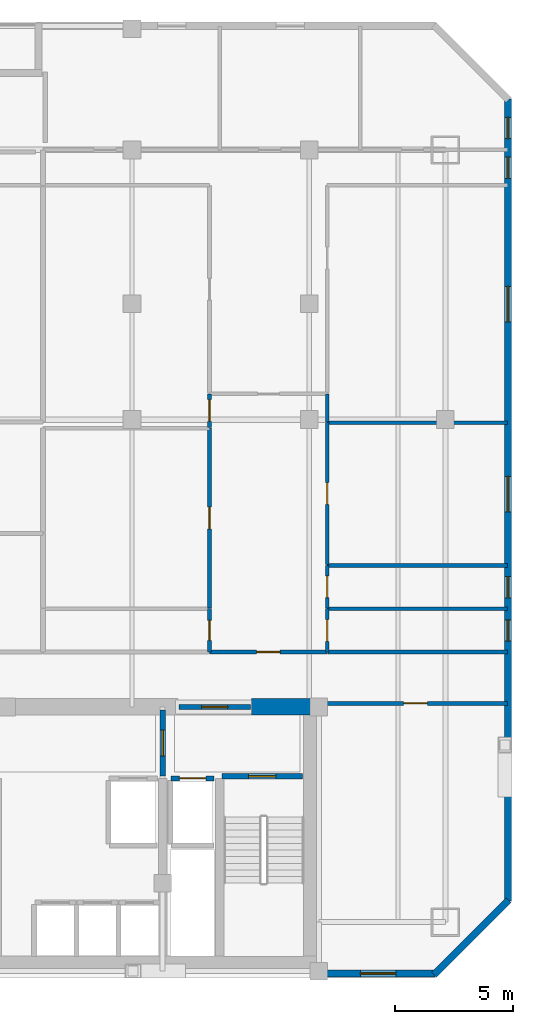
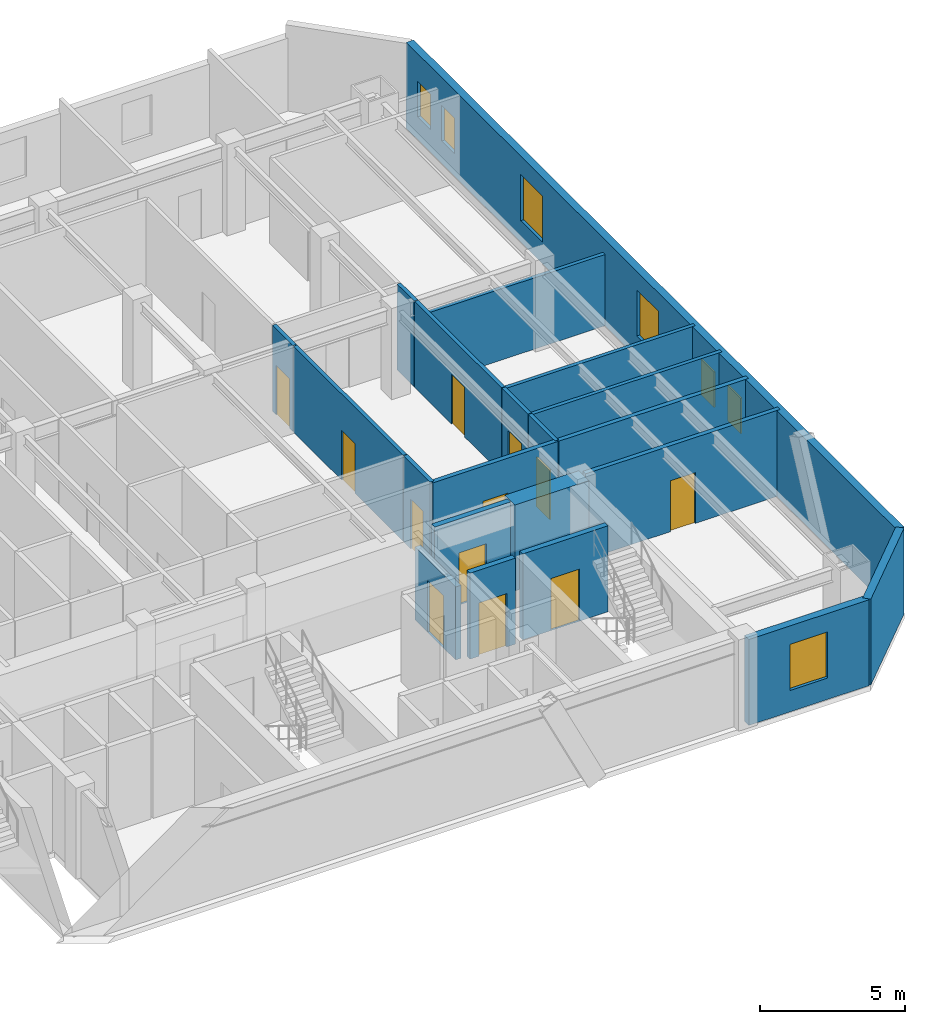
# One storey, part 5 of 8: 21 walls, 12 doors, 7 windows, 19 openings.
"""IFC4 building model written with IfcOpenShell, lengths in metres."""

from ifc_helpers import new_model, si_unit, direction, frame, frame_2d, origin, place, context, subcontext, project, spatial, rectangle, extrude, material, layer, layer_set, type_object, element, fill, save


model = new_model("IFC4")

# Units and contexts
model_context = context("Model", 3, precision=1e-05, world=origin(), true_north=direction((0.0, 1.0)))
body_context = subcontext(model_context, "Body", "Model", "MODEL_VIEW")
ifc_project = project(units=[si_unit("LENGTHUNIT", "METRE"), si_unit("AREAUNIT", "SQUARE_METRE"), si_unit("VOLUMEUNIT", "CUBIC_METRE"), si_unit("PLANEANGLEUNIT", "RADIAN"), si_unit("MASSUNIT", "GRAM", prefix="KILO")], contexts=[model_context])

# Site, building, storey
site_placement = place(None, origin())
site = spatial("IfcSite", under=ifc_project, at=site_placement, CompositionType="ELEMENT")
building_placement = place(site_placement, origin())
building = spatial("IfcBuilding", under=site, at=building_placement, Name="Ventersveld Concourse Tower", CompositionType="ELEMENT")
storey_placement = place(building_placement, frame((0.0, 0.0, 168.300048828125)))
storey = spatial("IfcBuildingStorey", under=building, at=storey_placement, Name="L41", CompositionType="ELEMENT", Elevation=168.300048828125)

# Wall
ifc_material_1 = material(Name="Concrete C60/75", Category="concrete")
ifc_layer_1 = layer(ifc_material_1, 0.699951171875)
ifc_layer_set_1 = layer_set([ifc_layer_1], Name="Concrete C60/75")
wall_type_1 = type_object("IfcWallType", Name="WL-CORE-700", PredefinedType="SHEAR", material=ifc_layer_set_1)
wall_1_placement = place(storey_placement, frame((41.300048828125, 11.449951171875, 0.0), z_axis=(0.0, 0.0, 1.0), x_axis=(1.0, 0.0, 0.0)))
element("IfcWall", 1, at=wall_1_placement, inside=storey, type_object=wall_type_1, Name="L41 Rear Core North Shear Wall NE", PredefinedType="SHEAR", context=body_context, shape_type="SweptSolid", body=[
    extrude(rectangle(XDim=2.949951171875, YDim=0.699951171875, at=frame_2d((1.47509765625, 0.0))), origin(), (0.0, 0.0, 1.0), 3.6298828125),
])

# Wall, opening, door
ifc_material_2 = material(Name="Fire-rated autoclaved aerated masonry blockwork", Category="masonry")
ifc_layer_2 = layer(ifc_material_2, 0.179931640625)
ifc_layer_set_2 = layer_set([ifc_layer_2], Name="Fire-rated autoclaved aerated masonry blockwork")
wall_type_2 = type_object("IfcWallType", Name="WL-CORR-180", PredefinedType="PARTITIONING", material=ifc_layer_set_2)
wall_2_placement = place(storey_placement, frame((44.35498046875, 11.60009765625, 0.0), z_axis=(0.0, 0.0, 1.0), x_axis=(1.0, 0.0, 0.0)))
wall_2 = element("IfcWall", 2, at=wall_2_placement, inside=storey, type_object=wall_type_2, Name="L41 Interior Partition SP-L41-SE-OFF-SP-L41-COR", PredefinedType="PARTITIONING", context=body_context, shape_type="SweptSolid", body=[
    extrude(rectangle(XDim=7.7724609375, YDim=0.179931640625, at=frame_2d((3.88623046875, 0.0))), origin(), (0.0, 0.0, 1.0), 3.6298828125),
])
opening_1_placement = place(wall_2_placement, frame((3.38623046875, 0.0, 0.0)))
opening_1 = element("IfcOpeningElement", 3, at=opening_1_placement, cuts=wall_2, Name="Opening FD3", PredefinedType="OPENING", context=body_context, shape_type="SweptSolid", body=[
    extrude(rectangle(XDim=1.0, YDim=2.14990234375, at=frame_2d((0.5, 1.074951171875))), frame((0.0, 0.10009765625, 0.0), z_axis=(0.0, -1.0, 0.0), x_axis=(1.0, 0.0, 0.0)), (0.0, 0.0, 1.0), 0.199951171875),
])
ifc_material_3 = material(Name="Solid-core hardwood veneer timber", Category="wood")
door_type_1 = type_object("IfcDoorType", Name="DR-FLAT-100", OperationType="NOTDEFINED", PredefinedType="DOOR", material=ifc_material_3)
door_1_placement = place(opening_1_placement, origin())
door_1 = element("IfcDoor", 4, at=door_1_placement, inside=storey, type_object=door_type_1, Name="L41 Interior Door SP-L41-SE-OFF to SP-L41-COR (D-L41-2001)", OperationType="SINGLE_SWING_LEFT", OverallHeight=2.14990234375, OverallWidth=1.0, PredefinedType="DOOR", context=body_context, shape_type="SweptSolid", body=[
    extrude(rectangle(XDim=1.0, YDim=2.14990234375, at=frame_2d((0.5, 1.074951171875))), frame((0.0, 0.02490234375, 0.0), z_axis=(0.0, -1.0, 0.0), x_axis=(1.0, 0.0, 0.0)), (0.0, 0.0, 1.0), 0.050048828125),
])
fill(opening_1, door_1)

wall_3_placement = place(storey_placement, frame((39.524169921875, 13.77001953125, 0.0), z_axis=(0.0, 0.0, 1.0), x_axis=(1.0, 0.0, 0.0)))
wall_3 = element("IfcWall", 5, at=wall_3_placement, inside=storey, type_object=wall_type_2, Name="L41 Interior Partition SP-L41-COR-SP-L41-41CE-FOY", PredefinedType="PARTITIONING", context=body_context, shape_type="SweptSolid", body=[
    extrude(rectangle(XDim=4.989990234375, YDim=0.179931640625, at=frame_2d((2.4951171875, 0.0))), origin(), (0.0, 0.0, 1.0), 3.6298828125),
])
opening_2_placement = place(wall_3_placement, frame((1.9951171875, 0.0, 0.0)))
opening_2 = element("IfcOpeningElement", 6, at=opening_2_placement, cuts=wall_3, Name="Opening FD3", PredefinedType="OPENING", context=body_context, shape_type="SweptSolid", body=[
    extrude(rectangle(XDim=1.0, YDim=2.14990234375, at=frame_2d((0.5, 1.074951171875))), frame((0.0, 0.10009765625, 0.0), z_axis=(0.0, -1.0, 0.0), x_axis=(1.0, 0.0, 0.0)), (0.0, 0.0, 1.0), 0.199951171875),
])
door_2_placement = place(opening_2_placement, origin())
door_2 = element("IfcDoor", 7, at=door_2_placement, inside=storey, type_object=door_type_1, Name="L41 Interior Door SP-L41-COR to SP-L41-41CE-FOY (FD-L41-2004)", OperationType="SINGLE_SWING_RIGHT", OverallHeight=2.14990234375, OverallWidth=1.0, PredefinedType="DOOR", context=body_context, shape_type="SweptSolid", body=[
    extrude(rectangle(XDim=1.0, YDim=2.14990234375, at=frame_2d((0.5, 1.074951171875))), frame((0.0, 0.02490234375, 0.0), z_axis=(0.0, -1.0, 0.0), x_axis=(1.0, 0.0, 0.0)), (0.0, 0.0, 1.0), 0.050048828125),
])
fill(opening_2, door_2)

# Wall
wall_4_placement = place(storey_placement, frame((44.544189453125, 13.77001953125, 0.0), z_axis=(0.0, 0.0, 1.0), x_axis=(1.0, 0.0, 0.0)))
element("IfcWall", 8, at=wall_4_placement, inside=storey, type_object=wall_type_2, Name="L41 Interior Partition SP-L41-COR-SP-L41-41CE-KIT", PredefinedType="PARTITIONING", context=body_context, shape_type="SweptSolid", body=[
    extrude(rectangle(XDim=7.583251953125, YDim=0.179931640625, at=frame_2d((3.79150390625, 0.0))), origin(), (0.0, 0.0, 1.0), 3.6298828125),
])

# Wall, opening, door
ifc_layer_3 = layer(ifc_material_2, 0.219970703125)
ifc_layer_set_3 = layer_set([ifc_layer_3], Name="Fire-rated autoclaved aerated masonry blockwork")
wall_type_3 = type_object("IfcWallType", Name="WL-HOIST-220", PredefinedType="SOLIDWALL", material=ifc_layer_set_3)
wall_5_placement = place(storey_placement, frame((37.89990234375, 8.429931640625, 0.0), z_axis=(0.0, 0.0, 1.0), x_axis=(1.0, 0.0, 0.0)))
wall_5 = element("IfcWall", 9, at=wall_5_placement, inside=storey, type_object=wall_type_3, Name="L41 Lift Hoistway Front Wall FFL-02", PredefinedType="SOLIDWALL", context=body_context, shape_type="SweptSolid", body=[
    extrude(rectangle(XDim=1.820068359375, YDim=0.219970703125, at=frame_2d((0.91015625, 0.0))), origin(), (0.0, 0.0, 1.0), 3.6298828125),
])
opening_3_placement = place(wall_5_placement, frame((0.35009765625, 0.0, 0.0)))
opening_3 = element("IfcOpeningElement", 10, at=opening_3_placement, cuts=wall_5, Name="Opening LD1", PredefinedType="OPENING", context=body_context, shape_type="SweptSolid", body=[
    extrude(rectangle(XDim=1.1201171875, YDim=2.25, at=frame_2d((0.56005859375, 1.125))), frame((0.0, 0.1201171875, 0.0), z_axis=(0.0, -1.0, 0.0), x_axis=(1.0, 0.0, 0.0)), (0.0, 0.0, 1.0), 0.239990234375),
])
ifc_material_4 = material(Name="Brushed stainless steel 316", Category="steel")
door_type_2 = type_object("IfcDoorType", Name="LD-FF-112", OperationType="SLIDING_TO_LEFT", PredefinedType="DOOR", material=ifc_material_4)
door_3_placement = place(opening_3_placement, origin())
door_3 = element("IfcDoor", 11, at=door_3_placement, inside=storey, type_object=door_type_2, Name="L41 Lift landing door FFL-02 (LD-L41-FFL-02)", OperationType="SLIDING_TO_RIGHT", OverallHeight=2.25, OverallWidth=1.1201171875, PredefinedType="DOOR", context=body_context, shape_type="SweptSolid", body=[
    extrude(rectangle(XDim=1.1201171875, YDim=2.25, at=frame_2d((0.56005859375, 1.125))), frame((0.0, 0.02490234375, 0.0), z_axis=(0.0, -1.0, 0.0), x_axis=(1.0, 0.0, 0.0)), (0.0, 0.0, 1.0), 0.050048828125),
])
fill(opening_3, door_3)

wall_6_placement = place(storey_placement, frame((40.06005859375, 8.52001953125, 0.0), z_axis=(0.0, 0.0, 1.0), x_axis=(1.0, 0.0, 0.0)))
wall_6 = element("IfcWall", 12, at=wall_6_placement, inside=storey, type_object=wall_type_3, Name="L41 Escape Stair ST02 Fire Wall", PredefinedType="SOLIDWALL", context=body_context, shape_type="SweptSolid", body=[
    extrude(rectangle(XDim=3.39990234375, YDim=0.219970703125, at=frame_2d((1.699951171875, 0.0))), origin(), (0.0, 0.0, 1.0), 3.6298828125),
])
opening_4_placement = place(wall_6_placement, frame((1.125, 0.0, 0.0)))
opening_4 = element("IfcOpeningElement", 13, at=opening_4_placement, cuts=wall_6, Name="Opening FD1", PredefinedType="OPENING", context=body_context, shape_type="SweptSolid", body=[
    extrude(rectangle(XDim=1.14990234375, YDim=2.199951171875, at=frame_2d((0.574951171875, 1.10009765625))), frame((0.0, 0.1201171875, 0.0), z_axis=(0.0, -1.0, 0.0), x_axis=(1.0, 0.0, 0.0)), (0.0, 0.0, 1.0), 0.239990234375),
])
ifc_material_5 = material(Name="Galvanised painted steel", Category="steel")
door_type_3 = type_object("IfcDoorType", Name="DR-STAIR-115", OperationType="NOTDEFINED", PredefinedType="DOOR", material=ifc_material_5)
door_4_placement = place(opening_4_placement, origin())
door_4 = element("IfcDoor", 14, at=door_4_placement, inside=storey, type_object=door_type_3, Name="L41 Escape Stair Door ST02 (SD-L41-1992)", OperationType="SINGLE_SWING_RIGHT", OverallHeight=2.199951171875, OverallWidth=1.14990234375, PredefinedType="DOOR", context=body_context, shape_type="SweptSolid", body=[
    extrude(rectangle(XDim=1.14990234375, YDim=2.199951171875, at=frame_2d((0.574951171875, 1.10009765625))), frame((0.0, 0.02490234375, 0.0), z_axis=(0.0, -1.0, 0.0), x_axis=(1.0, 0.0, 0.0)), (0.0, 0.0, 1.0), 0.050048828125),
])
fill(opening_4, door_4)

wall_7_placement = place(storey_placement, frame((37.550048828125, 8.52001953125, 0.0), z_axis=(0.0, 0.0, 1.0), x_axis=(0.0, 1.0, 0.0)))
wall_7 = element("IfcWall", 15, at=wall_7_placement, inside=storey, type_object=wall_type_3, Name="L41 Firefighting Lobby Smoke-Stop Wall FFLE-SEP", PredefinedType="SOLIDWALL", context=body_context, shape_type="SweptSolid", body=[
    extrude(rectangle(XDim=2.800048828125, YDim=0.219970703125, at=frame_2d((1.39990234375, 0.0))), origin(), (0.0, 0.0, 1.0), 3.08544921875),
])
opening_5_placement = place(wall_7_placement, frame((0.85009765625, 0.0, 0.0)))
opening_5 = element("IfcOpeningElement", 16, at=opening_5_placement, cuts=wall_7, Name="Opening FD2", PredefinedType="OPENING", context=body_context, shape_type="SweptSolid", body=[
    extrude(rectangle(XDim=1.10009765625, YDim=2.199951171875, at=frame_2d((0.550048828125, 1.10009765625))), frame((0.0, 0.1201171875, 0.0), z_axis=(0.0, -1.0, 0.0), x_axis=(1.0, 0.0, 0.0)), (0.0, 0.0, 1.0), 0.239990234375),
])
door_type_4 = type_object("IfcDoorType", Name="DR-FFL-110", OperationType="NOTDEFINED", PredefinedType="DOOR", material=ifc_material_5)
door_5_placement = place(opening_5_placement, origin())
door_5 = element("IfcDoor", 17, at=door_5_placement, inside=storey, type_object=door_type_4, Name="L41 Firefighting Lobby Door FFLE-SEP (FD-L41-1995)", OperationType="SINGLE_SWING_RIGHT", OverallHeight=2.199951171875, OverallWidth=1.10009765625, PredefinedType="DOOR", context=body_context, shape_type="SweptSolid", body=[
    extrude(rectangle(XDim=1.10009765625, YDim=2.199951171875, at=frame_2d((0.550048828125, 1.10009765625))), frame((0.0, 0.02490234375, 0.0), z_axis=(0.0, -1.0, 0.0), x_axis=(1.0, 0.0, 0.0)), (0.0, 0.0, 1.0), 0.050048828125),
])
fill(opening_5, door_5)

wall_8_placement = place(storey_placement, frame((38.22998046875, 11.449951171875, 0.0), z_axis=(0.0, 0.0, 1.0), x_axis=(1.0, 0.0, 0.0)))
wall_8 = element("IfcWall", 18, at=wall_8_placement, inside=storey, type_object=wall_type_3, Name="L41 Core North Fire Portal FFLE-OUT", PredefinedType="SOLIDWALL", context=body_context, shape_type="SweptSolid", body=[
    extrude(rectangle(XDim=3.0400390625, YDim=0.219970703125, at=frame_2d((1.52001953125, 0.0))), origin(), (0.0, 0.0, 1.0), 3.6298828125),
])
opening_6_placement = place(wall_8_placement, frame((0.969970703125, 0.0, 0.0)))
opening_6 = element("IfcOpeningElement", 19, at=opening_6_placement, cuts=wall_8, Name="Opening FD2", PredefinedType="OPENING", context=body_context, shape_type="SweptSolid", body=[
    extrude(rectangle(XDim=1.10009765625, YDim=2.199951171875, at=frame_2d((0.550048828125, 1.10009765625))), frame((0.0, 0.1201171875, 0.0), z_axis=(0.0, -1.0, 0.0), x_axis=(1.0, 0.0, 0.0)), (0.0, 0.0, 1.0), 0.239990234375),
])
door_6_placement = place(opening_6_placement, origin())
door_6 = element("IfcDoor", 20, at=door_6_placement, inside=storey, type_object=door_type_4, Name="L41 Core Lobby Fire Door FFLE-OUT (FD-L41-1998)", OperationType="SINGLE_SWING_LEFT", OverallHeight=2.199951171875, OverallWidth=1.10009765625, PredefinedType="DOOR", context=body_context, shape_type="SweptSolid", body=[
    extrude(rectangle(XDim=1.10009765625, YDim=2.199951171875, at=frame_2d((0.550048828125, 1.10009765625))), frame((0.0, 0.02490234375, 0.0), z_axis=(0.0, -1.0, 0.0), x_axis=(1.0, 0.0, 0.0)), (0.0, 0.0, 1.0), 0.050048828125),
])
fill(opening_6, door_6)

ifc_material_6 = material(Name="Autoclaved aerated masonry blockwork", Category="masonry")
ifc_layer_4 = layer(ifc_material_6, 0.14990234375)
ifc_layer_set_4 = layer_set([ifc_layer_4], Name="Autoclaved aerated masonry blockwork")
wall_type_4 = type_object("IfcWallType", Name="WL-INT-150", PredefinedType="PARTITIONING", material=ifc_layer_set_4)
wall_9_placement = place(storey_placement, frame((39.529052734375, 15.635009765625, 0.0), z_axis=(0.0, 0.0, 1.0), x_axis=(0.0, 1.0, 0.0)))
wall_9 = element("IfcWall", 21, at=wall_9_placement, inside=storey, type_object=wall_type_4, Name="L41 Interior Partition SP-L41-41CE-FOY-SP-L41-41CE-OFFL0", PredefinedType="PARTITIONING", context=body_context, shape_type="SweptSolid", body=[
    extrude(rectangle(XDim=7.6064453125, YDim=0.14990234375, at=frame_2d((3.80322265625, 0.0))), origin(), (0.0, 0.0, 1.0), 3.6298828125),
])
opening_7_placement = place(wall_9_placement, frame((3.34326171875, 0.0, 0.0)))
opening_7 = element("IfcOpeningElement", 22, at=opening_7_placement, cuts=wall_9, Name="Opening ID1", PredefinedType="OPENING", context=body_context, shape_type="SweptSolid", body=[
    extrude(rectangle(XDim=0.919921875, YDim=2.10009765625, at=frame_2d((0.4599609375, 1.050048828125))), frame((0.0, 0.0849609375, 0.0), z_axis=(0.0, -1.0, 0.0), x_axis=(1.0, 0.0, 0.0)), (0.0, 0.0, 1.0), 0.169921875),
])
door_type_5 = type_object("IfcDoorType", Name="DR-ROOM-092", OperationType="NOTDEFINED", PredefinedType="DOOR", material=ifc_material_3)
door_7_placement = place(opening_7_placement, origin())
door_7 = element("IfcDoor", 23, at=door_7_placement, inside=storey, type_object=door_type_5, Name="L41 Interior Door SP-L41-41CE-FOY to SP-L41-41CE-OFFL0 (D-L41-2022)", OperationType="SINGLE_SWING_RIGHT", OverallHeight=2.10009765625, OverallWidth=0.919921875, PredefinedType="DOOR", context=body_context, shape_type="SweptSolid", body=[
    extrude(rectangle(XDim=0.919921875, YDim=2.10009765625, at=frame_2d((0.4599609375, 1.050048828125))), frame((0.0, 0.02490234375, 0.0), z_axis=(0.0, -1.0, 0.0), x_axis=(1.0, 0.0, 0.0)), (0.0, 0.0, 1.0), 0.050048828125),
])
fill(opening_7, door_7)

wall_10_placement = place(storey_placement, frame((39.529052734375, 23.271484375, 0.0), z_axis=(0.0, 0.0, 1.0), x_axis=(0.0, 1.0, 0.0)))
wall_10 = element("IfcWall", 24, at=wall_10_placement, inside=storey, type_object=wall_type_4, Name="L41 Interior Partition SP-L41-41CE-FOY-SP-L41-41CE-DENL2", PredefinedType="PARTITIONING", context=body_context, shape_type="SweptSolid", body=[
    extrude(rectangle(XDim=1.416748046875, YDim=0.14990234375, at=frame_2d((0.70849609375, 0.0))), origin(), (0.0, 0.0, 1.0), 3.6298828125),
])
opening_8_placement = place(wall_10_placement, frame((0.248291015625, 0.0, 0.0)))
opening_8 = element("IfcOpeningElement", 25, at=opening_8_placement, cuts=wall_10, Name="Opening ID1", PredefinedType="OPENING", context=body_context, shape_type="SweptSolid", body=[
    extrude(rectangle(XDim=0.919921875, YDim=2.10009765625, at=frame_2d((0.4599609375, 1.050048828125))), frame((0.0, 0.0849609375, 0.0), z_axis=(0.0, -1.0, 0.0), x_axis=(1.0, 0.0, 0.0)), (0.0, 0.0, 1.0), 0.169921875),
])
door_8_placement = place(opening_8_placement, origin())
door_8 = element("IfcDoor", 26, at=door_8_placement, inside=storey, type_object=door_type_5, Name="L41 Interior Door SP-L41-41CE-FOY to SP-L41-41CE-DENL2 (D-L41-2023)", OperationType="SINGLE_SWING_LEFT", OverallHeight=2.10009765625, OverallWidth=0.919921875, PredefinedType="DOOR", context=body_context, shape_type="SweptSolid", body=[
    extrude(rectangle(XDim=0.919921875, YDim=2.10009765625, at=frame_2d((0.4599609375, 1.050048828125))), frame((0.0, 0.02490234375, 0.0), z_axis=(0.0, -1.0, 0.0), x_axis=(1.0, 0.0, 0.0)), (0.0, 0.0, 1.0), 0.050048828125),
])
fill(opening_8, door_8)

wall_11_placement = place(storey_placement, frame((44.509033203125, 13.764892578125, 0.0), z_axis=(0.0, 0.0, 1.0), x_axis=(0.0, 1.0, 0.0)))
wall_11 = element("IfcWall", 27, at=wall_11_placement, inside=storey, type_object=wall_type_4, Name="L41 Interior Partition SP-L41-41CE-FOY-SP-L41-41CE-KIT", PredefinedType="PARTITIONING", context=body_context, shape_type="SweptSolid", body=[
    extrude(rectangle(XDim=1.840087890625, YDim=0.14990234375, at=frame_2d((0.919921875, 0.0))), origin(), (0.0, 0.0, 1.0), 3.6298828125),
])
opening_9_placement = place(wall_11_placement, frame((0.4599609375, 0.0, 0.0)))
opening_9 = element("IfcOpeningElement", 28, at=opening_9_placement, cuts=wall_11, Name="Opening ID1", PredefinedType="OPENING", context=body_context, shape_type="SweptSolid", body=[
    extrude(rectangle(XDim=0.919921875, YDim=2.10009765625, at=frame_2d((0.4599609375, 1.050048828125))), frame((0.0, 0.0849609375, 0.0), z_axis=(0.0, -1.0, 0.0), x_axis=(1.0, 0.0, 0.0)), (0.0, 0.0, 1.0), 0.169921875),
])
door_9_placement = place(opening_9_placement, origin())
door_9 = element("IfcDoor", 29, at=door_9_placement, inside=storey, type_object=door_type_5, Name="L41 Interior Door SP-L41-41CE-FOY to SP-L41-41CE-KIT (D-L41-2024)", OperationType="SINGLE_SWING_RIGHT", OverallHeight=2.10009765625, OverallWidth=0.919921875, PredefinedType="DOOR", context=body_context, shape_type="SweptSolid", body=[
    extrude(rectangle(XDim=0.919921875, YDim=2.10009765625, at=frame_2d((0.4599609375, 1.050048828125))), frame((0.0, 0.02490234375, 0.0), z_axis=(0.0, -1.0, 0.0), x_axis=(1.0, 0.0, 0.0)), (0.0, 0.0, 1.0), 0.050048828125),
])
fill(opening_9, door_9)

wall_12_placement = place(storey_placement, frame((44.509033203125, 15.635009765625, 0.0), z_axis=(0.0, 0.0, 1.0), x_axis=(0.0, 1.0, 0.0)))
wall_12 = element("IfcWall", 30, at=wall_12_placement, inside=storey, type_object=wall_type_4, Name="L41 Interior Partition SP-L41-41CE-FOY-SP-L41-41CE-PANR1", PredefinedType="PARTITIONING", context=body_context, shape_type="SweptSolid", body=[
    extrude(rectangle(XDim=1.800048828125, YDim=0.14990234375, at=frame_2d((0.89990234375, 0.0))), origin(), (0.0, 0.0, 1.0), 3.6298828125),
])
opening_10_placement = place(wall_12_placement, frame((0.43994140625, 0.0, 0.0)))
opening_10 = element("IfcOpeningElement", 31, at=opening_10_placement, cuts=wall_12, Name="Opening ID1", PredefinedType="OPENING", context=body_context, shape_type="SweptSolid", body=[
    extrude(rectangle(XDim=0.919921875, YDim=2.10009765625, at=frame_2d((0.4599609375, 1.050048828125))), frame((0.0, 0.0849609375, 0.0), z_axis=(0.0, -1.0, 0.0), x_axis=(1.0, 0.0, 0.0)), (0.0, 0.0, 1.0), 0.169921875),
])
door_10_placement = place(opening_10_placement, origin())
door_10 = element("IfcDoor", 32, at=door_10_placement, inside=storey, type_object=door_type_5, Name="L41 Interior Door SP-L41-41CE-FOY to SP-L41-41CE-PANR1 (D-L41-2025)", OperationType="SINGLE_SWING_LEFT", OverallHeight=2.10009765625, OverallWidth=0.919921875, PredefinedType="DOOR", context=body_context, shape_type="SweptSolid", body=[
    extrude(rectangle(XDim=0.919921875, YDim=2.10009765625, at=frame_2d((0.4599609375, 1.050048828125))), frame((0.0, 0.02490234375, 0.0), z_axis=(0.0, -1.0, 0.0), x_axis=(1.0, 0.0, 0.0)), (0.0, 0.0, 1.0), 0.050048828125),
])
fill(opening_10, door_10)

wall_13_placement = place(storey_placement, frame((44.509033203125, 17.465087890625, 0.0), z_axis=(0.0, 0.0, 1.0), x_axis=(0.0, 1.0, 0.0)))
wall_13 = element("IfcWall", 33, at=wall_13_placement, inside=storey, type_object=wall_type_4, Name="L41 Interior Partition SP-L41-41CE-FOY-SP-L41-41CE-DENR", PredefinedType="PARTITIONING", context=body_context, shape_type="SweptSolid", body=[
    extrude(rectangle(XDim=6.0126953125, YDim=0.14990234375, at=frame_2d((3.00634765625, 0.0))), origin(), (0.0, 0.0, 1.0), 3.6298828125),
])
opening_11_placement = place(wall_13_placement, frame((2.54638671875, 0.0, 0.0)))
opening_11 = element("IfcOpeningElement", 34, at=opening_11_placement, cuts=wall_13, Name="Opening ID1", PredefinedType="OPENING", context=body_context, shape_type="SweptSolid", body=[
    extrude(rectangle(XDim=0.919921875, YDim=2.10009765625, at=frame_2d((0.4599609375, 1.050048828125))), frame((0.0, 0.0849609375, 0.0), z_axis=(0.0, -1.0, 0.0), x_axis=(1.0, 0.0, 0.0)), (0.0, 0.0, 1.0), 0.169921875),
])
door_11_placement = place(opening_11_placement, origin())
door_11 = element("IfcDoor", 35, at=door_11_placement, inside=storey, type_object=door_type_5, Name="L41 Interior Door SP-L41-41CE-FOY to SP-L41-41CE-DENR (D-L41-2026)", OperationType="SINGLE_SWING_RIGHT", OverallHeight=2.10009765625, OverallWidth=0.919921875, PredefinedType="DOOR", context=body_context, shape_type="SweptSolid", body=[
    extrude(rectangle(XDim=0.919921875, YDim=2.10009765625, at=frame_2d((0.4599609375, 1.050048828125))), frame((0.0, 0.02490234375, 0.0), z_axis=(0.0, -1.0, 0.0), x_axis=(1.0, 0.0, 0.0)), (0.0, 0.0, 1.0), 0.050048828125),
])
fill(opening_11, door_11)

# Walls
wall_14_placement = place(storey_placement, frame((44.509033203125, 23.5078125, 0.0), z_axis=(0.0, 0.0, 1.0), x_axis=(0.0, 1.0, 0.0)))
element("IfcWall", 36, at=wall_14_placement, inside=storey, type_object=wall_type_4, Name="L41 Interior Partition SP-L41-41CE-FOY-SP-L41-41CE-DENS2", PredefinedType="PARTITIONING", context=body_context, shape_type="SweptSolid", body=[
    extrude(rectangle(XDim=1.180419921875, YDim=0.14990234375, at=frame_2d((0.59033203125, 0.0))), origin(), (0.0, 0.0, 1.0), 3.6298828125),
])
for number, where, z_axis, x_axis, name in (
    (37, (44.504150390625, 15.60009765625, 0.0), (0.0, 0.0, 1.0), (1.0, 0.0, 0.0), "L41 Interior Partition SP-L41-41CE-KIT-SP-L41-41CE-PANR1"),
    (38, (44.504150390625, 17.429931640625, 0.0), (0.0, 0.0, 1.0), (1.0, 0.0, 0.0), "L41 Interior Partition SP-L41-41CE-PANR1-SP-L41-41CE-DENR"),
):
    element("IfcWall", number, at=place(storey_placement, frame(where, z_axis=z_axis, x_axis=x_axis)), inside=storey, type_object=wall_type_4, Name=name, PredefinedType="PARTITIONING", context=body_context, shape_type="SweptSolid", body=[
        extrude(rectangle(XDim=7.623291015625, YDim=0.14990234375, at=frame_2d((3.8115234375, 0.0))), origin(), (0.0, 0.0, 1.0), 3.6298828125),
    ])
wall_15_placement = place(storey_placement, frame((44.504150390625, 23.472900390625, 0.0), z_axis=(0.0, 0.0, 1.0), x_axis=(1.0, 0.0, 0.0)))
element("IfcWall", 39, at=wall_15_placement, inside=storey, type_object=wall_type_4, Name="L41 Interior Partition SP-L41-41CE-DENR-SP-L41-41CE-DENS2", PredefinedType="PARTITIONING", context=body_context, shape_type="SweptSolid", body=[
    extrude(rectangle(XDim=7.623291015625, YDim=0.14990234375, at=frame_2d((3.8115234375, 0.0))), origin(), (0.0, 0.0, 1.0), 3.0126953125),
])

# Wall, opening, window
ifc_material_7 = material(Name="Precast concrete C45/55", Category="concrete")
ifc_layer_5 = layer(ifc_material_7, 0.300048828125)
ifc_layer_set_5 = layer_set([ifc_layer_5], Name="Precast concrete C45/55")
wall_type_5 = type_object("IfcWallType", Name="WL-PREC-300", PredefinedType="SOLIDWALL", material=ifc_layer_set_5)
wall_16_placement = place(storey_placement, frame((44.25, 0.179931640625, 0.0), z_axis=(0.0, 0.0, 1.0), x_axis=(1.0, 0.0, 0.0)))
wall_16 = element("IfcWall", 40, at=wall_16_placement, inside=storey, type_object=wall_type_5, Name="L41 South-East Flank Precast Wall", PredefinedType="SOLIDWALL", context=body_context, shape_type="SweptSolid", body=[
    extrude(rectangle(XDim=4.81005859375, YDim=0.300048828125, at=frame_2d((2.405029296875, 0.0))), origin(), (0.0, 0.0, 1.0), 3.6298828125),
])
opening_12_placement = place(wall_16_placement, frame((1.655029296875, 0.0, 0.89990234375)))
opening_12 = element("IfcOpeningElement", 41, at=opening_12_placement, cuts=wall_16, Name="Opening W1", PredefinedType="OPENING", context=body_context, shape_type="SweptSolid", body=[
    extrude(rectangle(XDim=1.5, YDim=1.949951171875, at=frame_2d((0.75, 0.97509765625))), frame((0.0, 0.16015625, 0.0), z_axis=(0.0, -1.0, 0.0), x_axis=(1.0, 0.0, 0.0)), (0.0, 0.0, 1.0), 0.320068359375),
])
ifc_material_8 = material(Name="Tempered acoustic Low-E IGU", Category="glass")
window_type_1 = type_object("IfcWindowType", Name="WIN-150x210", PartitioningType="SINGLE_PANEL", PredefinedType="WINDOW", material=ifc_material_8)
window_1_placement = place(opening_12_placement, origin())
window_1 = element("IfcWindow", 42, at=window_1_placement, inside=storey, type_object=window_type_1, Name="L41 Punched Low-E Window W-0548", OverallHeight=1.949951171875, OverallWidth=1.5, PartitioningType="SINGLE_PANEL", PredefinedType="WINDOW", context=body_context, shape_type="SweptSolid", body=[
    extrude(rectangle(XDim=1.5, YDim=1.949951171875, at=frame_2d((0.75, 0.97509765625))), frame((0.0, 0.030029296875, 0.0), z_axis=(0.0, -1.0, 0.0), x_axis=(1.0, 0.0, 0.0)), (0.0, 0.0, 1.0), 0.06005859375),
])
fill(opening_12, window_1)

# Wall
wall_17_placement = place(storey_placement, frame((49.022216796875, 0.134521484375, 0.0), z_axis=(0.0, 0.0, 1.0), x_axis=(0.707106781187, 0.707106781187, 0.0)))
element("IfcWall", 43, at=wall_17_placement, inside=storey, type_object=wall_type_5, Name="L41 Highveld Precast Facade Wall E02", PredefinedType="SOLIDWALL", context=body_context, shape_type="SweptSolid", body=[
    extrude(rectangle(XDim=4.4453125, YDim=0.300048828125, at=frame_2d((2.22265625, 0.0))), origin(), (0.0, 0.0, 1.0), 3.6298828125),
])

# Wall, openings, windows
wall_18_placement = place(storey_placement, frame((52.14990234375, 3.239990234375, 0.0), z_axis=(0.0, 0.0, 1.0), x_axis=(0.0, 1.0, 0.0)))
wall_18 = element("IfcWall", 44, at=wall_18_placement, inside=storey, type_object=wall_type_5, Name="L41 Highveld Precast Facade Wall E03", PredefinedType="SOLIDWALL", context=body_context, shape_type="SweptSolid", body=[
    extrude(rectangle(XDim=33.919921875, YDim=0.300048828125, at=frame_2d((16.9599609375, 0.0))), origin(), (0.0, 0.0, 1.0), 3.6298828125),
])
opening_13_placement = place(wall_18_placement, frame((30.56005859375, 0.0, 0.949951171875)))
opening_13 = element("IfcOpeningElement", 45, at=opening_13_placement, cuts=wall_18, Name="Opening W4", PredefinedType="OPENING", context=body_context, shape_type="SweptSolid", body=[
    extrude(rectangle(XDim=0.89990234375, YDim=1.5, at=frame_2d((0.449951171875, 0.75))), frame((0.0, 0.16015625, 0.0), z_axis=(0.0, -1.0, 0.0), x_axis=(1.0, 0.0, 0.0)), (0.0, 0.0, 1.0), 0.320068359375),
])
opening_14_placement = place(wall_18_placement, frame((10.9951171875, 0.0, 0.949951171875)))
opening_14 = element("IfcOpeningElement", 46, at=opening_14_placement, cuts=wall_18, Name="Opening W4", PredefinedType="OPENING", context=body_context, shape_type="SweptSolid", body=[
    extrude(rectangle(XDim=0.89990234375, YDim=1.5, at=frame_2d((0.449951171875, 0.75))), frame((0.0, 0.16015625, 0.0), z_axis=(0.0, -1.0, 0.0), x_axis=(1.0, 0.0, 0.0)), (0.0, 0.0, 1.0), 0.320068359375),
])
opening_15_placement = place(wall_18_placement, frame((12.824951171875, 0.0, 0.949951171875)))
opening_15 = element("IfcOpeningElement", 47, at=opening_15_placement, cuts=wall_18, Name="Opening W4", PredefinedType="OPENING", context=body_context, shape_type="SweptSolid", body=[
    extrude(rectangle(XDim=0.89990234375, YDim=1.5, at=frame_2d((0.449951171875, 0.75))), frame((0.0, 0.16015625, 0.0), z_axis=(0.0, -1.0, 0.0), x_axis=(1.0, 0.0, 0.0)), (0.0, 0.0, 1.0), 0.320068359375),
])
opening_16_placement = place(wall_18_placement, frame((16.46142578125, 0.0, 0.89990234375)))
opening_16 = element("IfcOpeningElement", 48, at=opening_16_placement, cuts=wall_18, Name="Opening W1", PredefinedType="OPENING", context=body_context, shape_type="SweptSolid", body=[
    extrude(rectangle(XDim=1.5, YDim=1.949951171875, at=frame_2d((0.75, 0.97509765625))), frame((0.0, 0.16015625, 0.0), z_axis=(0.0, -1.0, 0.0), x_axis=(1.0, 0.0, 0.0)), (0.0, 0.0, 1.0), 0.320068359375),
])
opening_17_placement = place(wall_18_placement, frame((24.496337890625, 0.0, 0.89990234375)))
opening_17 = element("IfcOpeningElement", 49, at=opening_17_placement, cuts=wall_18, Name="Opening W1", PredefinedType="OPENING", context=body_context, shape_type="SweptSolid", body=[
    extrude(rectangle(XDim=1.5, YDim=1.949951171875, at=frame_2d((0.75, 0.97509765625))), frame((0.0, 0.16015625, 0.0), z_axis=(0.0, -1.0, 0.0), x_axis=(1.0, 0.0, 0.0)), (0.0, 0.0, 1.0), 0.320068359375),
])
opening_18_placement = place(wall_18_placement, frame((32.239990234375, 0.0, 0.949951171875)))
opening_18 = element("IfcOpeningElement", 50, at=opening_18_placement, cuts=wall_18, Name="Opening W4", PredefinedType="OPENING", context=body_context, shape_type="SweptSolid", body=[
    extrude(rectangle(XDim=0.89990234375, YDim=1.5, at=frame_2d((0.449951171875, 0.75))), frame((0.0, 0.16015625, 0.0), z_axis=(0.0, -1.0, 0.0), x_axis=(1.0, 0.0, 0.0)), (0.0, 0.0, 1.0), 0.320068359375),
])
window_type_2 = type_object("IfcWindowType", Name="WIN-090x150", PartitioningType="SINGLE_PANEL", PredefinedType="WINDOW", material=ifc_material_8)
window_2_placement = place(opening_13_placement, origin())
window_2 = element("IfcWindow", 51, at=window_2_placement, inside=storey, type_object=window_type_2, Name="L41 Punched Low-E Window W-0555", OverallHeight=1.5, OverallWidth=0.89990234375, PartitioningType="SINGLE_PANEL", PredefinedType="WINDOW", context=body_context, shape_type="SweptSolid", body=[
    extrude(rectangle(XDim=0.89990234375, YDim=1.5, at=frame_2d((0.449951171875, 0.75))), frame((0.0, 0.030029296875, 0.0), z_axis=(0.0, -1.0, 0.0), x_axis=(1.0, 0.0, 0.0)), (0.0, 0.0, 1.0), 0.06005859375),
])
fill(opening_13, window_2)
window_3_placement = place(opening_14_placement, origin())
window_3 = element("IfcWindow", 52, at=window_3_placement, inside=storey, type_object=window_type_2, Name="L41 Punched Low-E Window W-0556", OverallHeight=1.5, OverallWidth=0.89990234375, PartitioningType="SINGLE_PANEL", PredefinedType="WINDOW", context=body_context, shape_type="SweptSolid", body=[
    extrude(rectangle(XDim=0.89990234375, YDim=1.5, at=frame_2d((0.449951171875, 0.75))), frame((0.0, 0.030029296875, 0.0), z_axis=(0.0, -1.0, 0.0), x_axis=(1.0, 0.0, 0.0)), (0.0, 0.0, 1.0), 0.06005859375),
])
fill(opening_14, window_3)
window_4_placement = place(opening_15_placement, origin())
window_4 = element("IfcWindow", 53, at=window_4_placement, inside=storey, type_object=window_type_2, Name="L41 Punched Low-E Window W-0557", OverallHeight=1.5, OverallWidth=0.89990234375, PartitioningType="SINGLE_PANEL", PredefinedType="WINDOW", context=body_context, shape_type="SweptSolid", body=[
    extrude(rectangle(XDim=0.89990234375, YDim=1.5, at=frame_2d((0.449951171875, 0.75))), frame((0.0, 0.030029296875, 0.0), z_axis=(0.0, -1.0, 0.0), x_axis=(1.0, 0.0, 0.0)), (0.0, 0.0, 1.0), 0.06005859375),
])
fill(opening_15, window_4)
window_5_placement = place(opening_18_placement, origin())
window_5 = element("IfcWindow", 54, at=window_5_placement, inside=storey, type_object=window_type_2, Name="L41 Punched Low-E Window W-0562", OverallHeight=1.5, OverallWidth=0.89990234375, PartitioningType="SINGLE_PANEL", PredefinedType="WINDOW", context=body_context, shape_type="SweptSolid", body=[
    extrude(rectangle(XDim=0.89990234375, YDim=1.5, at=frame_2d((0.449951171875, 0.75))), frame((0.0, 0.030029296875, 0.0), z_axis=(0.0, -1.0, 0.0), x_axis=(1.0, 0.0, 0.0)), (0.0, 0.0, 1.0), 0.06005859375),
])
fill(opening_18, window_5)
window_6_placement = place(opening_16_placement, origin())
window_6 = element("IfcWindow", 55, at=window_6_placement, inside=storey, type_object=window_type_1, Name="L41 Punched Low-E Window W-0558", OverallHeight=1.949951171875, OverallWidth=1.5, PartitioningType="SINGLE_PANEL", PredefinedType="WINDOW", context=body_context, shape_type="SweptSolid", body=[
    extrude(rectangle(XDim=1.5, YDim=1.949951171875, at=frame_2d((0.75, 0.97509765625))), frame((0.0, 0.030029296875, 0.0), z_axis=(0.0, -1.0, 0.0), x_axis=(1.0, 0.0, 0.0)), (0.0, 0.0, 1.0), 0.06005859375),
])
fill(opening_16, window_6)
window_7_placement = place(opening_17_placement, origin())
window_7 = element("IfcWindow", 56, at=window_7_placement, inside=storey, type_object=window_type_1, Name="L41 Punched Low-E Window W-0559", OverallHeight=1.949951171875, OverallWidth=1.5, PartitioningType="SINGLE_PANEL", PredefinedType="WINDOW", context=body_context, shape_type="SweptSolid", body=[
    extrude(rectangle(XDim=1.5, YDim=1.949951171875, at=frame_2d((0.75, 0.97509765625))), frame((0.0, 0.030029296875, 0.0), z_axis=(0.0, -1.0, 0.0), x_axis=(1.0, 0.0, 0.0)), (0.0, 0.0, 1.0), 0.06005859375),
])
fill(opening_17, window_7)

# Wall, opening, door
ifc_layer_6 = layer(ifc_material_6, 0.1650390625)
ifc_layer_set_6 = layer_set([ifc_layer_6], Name="Autoclaved aerated masonry blockwork")
wall_type_6 = type_object("IfcWallType", Name="WL-WET-165", PredefinedType="PLUMBINGWALL", material=ifc_layer_set_6)
wall_19_placement = place(storey_placement, frame((39.529052734375, 13.764892578125, 0.0), z_axis=(0.0, 0.0, 1.0), x_axis=(0.0, 1.0, 0.0)))
wall_19 = element("IfcWall", 57, at=wall_19_placement, inside=storey, type_object=wall_type_6, Name="L41 Interior Partition SP-L41-41CE-FOY-SP-L41-41CE-BATH", PredefinedType="PLUMBINGWALL", context=body_context, shape_type="SweptSolid", body=[
    extrude(rectangle(XDim=1.840087890625, YDim=0.1650390625, at=frame_2d((0.919921875, 0.0))), origin(), (0.0, 0.0, 1.0), 3.6298828125),
])
opening_19_placement = place(wall_19_placement, frame((0.4951171875, 0.0, 0.0)))
opening_19 = element("IfcOpeningElement", 58, at=opening_19_placement, cuts=wall_19, Name="Opening ID2", PredefinedType="OPENING", context=body_context, shape_type="SweptSolid", body=[
    extrude(rectangle(XDim=0.85009765625, YDim=2.10009765625, at=frame_2d((0.425048828125, 1.050048828125))), frame((0.0, 0.092529296875, 0.0), z_axis=(0.0, -1.0, 0.0), x_axis=(1.0, 0.0, 0.0)), (0.0, 0.0, 1.0), 0.18505859375),
])
door_type_6 = type_object("IfcDoorType", Name="DR-BATH-085", OperationType="NOTDEFINED", PredefinedType="DOOR", material=ifc_material_3)
door_12_placement = place(opening_19_placement, origin())
door_12 = element("IfcDoor", 59, at=door_12_placement, inside=storey, type_object=door_type_6, Name="L41 Interior Door SP-L41-41CE-FOY to SP-L41-41CE-BATH (D-L41-2021)", OperationType="SINGLE_SWING_LEFT", OverallHeight=2.10009765625, OverallWidth=0.85009765625, PredefinedType="DOOR", context=body_context, shape_type="SweptSolid", body=[
    extrude(rectangle(XDim=0.85009765625, YDim=2.10009765625, at=frame_2d((0.425048828125, 1.050048828125))), frame((0.0, 0.02490234375, 0.0), z_axis=(0.0, -1.0, 0.0), x_axis=(1.0, 0.0, 0.0)), (0.0, 0.0, 1.0), 0.050048828125),
])
fill(opening_19, door_12)

save(model, "model.ifc")
